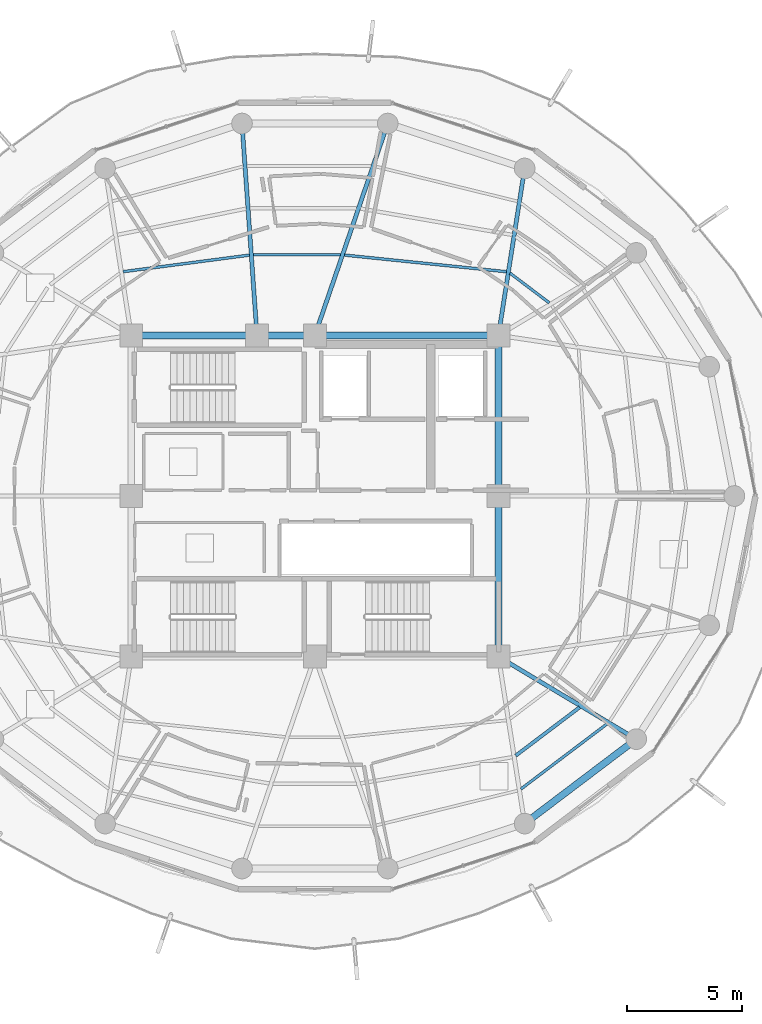
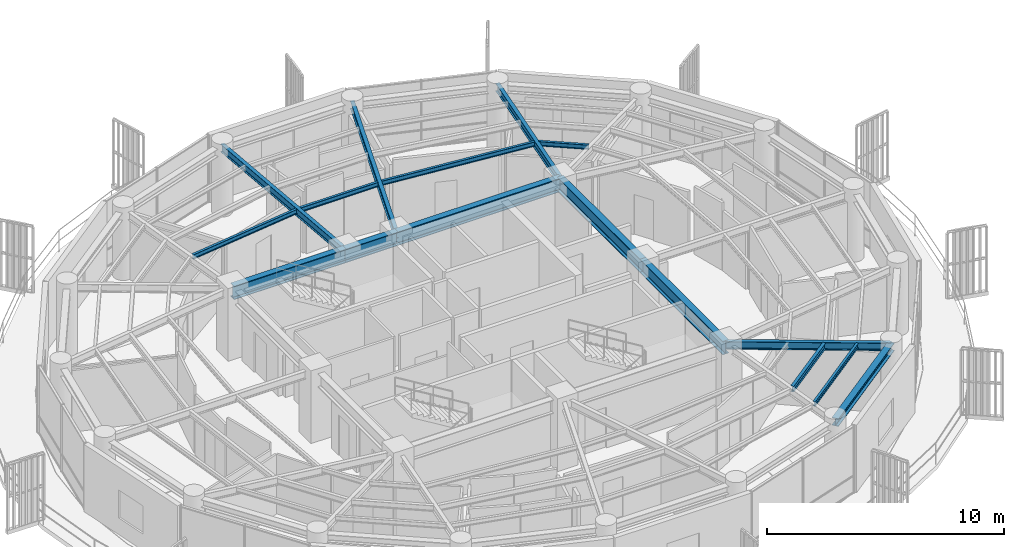
# One storey, part 9 of 24: 16 beams.
"""IFC4 building model written with IfcOpenShell, lengths in metres."""

from ifc_helpers import new_model, si_unit, direction, frame, origin, origin_2d, place, context, subcontext, project, spatial, i_section, extrude, material, material_profile, profile_set, type_object, element, save


model = new_model("IFC4")

# Units and contexts
model_context = context("Model", 3, precision=1e-05, world=origin(), true_north=direction((0.0, 1.0)))
body_context = subcontext(model_context, "Body", "Model", "MODEL_VIEW")
ifc_project = project(units=[si_unit("LENGTHUNIT", "METRE"), si_unit("AREAUNIT", "SQUARE_METRE"), si_unit("VOLUMEUNIT", "CUBIC_METRE"), si_unit("PLANEANGLEUNIT", "RADIAN"), si_unit("MASSUNIT", "GRAM", prefix="KILO")], contexts=[model_context])

# Site, building, storey
site_placement = place(None, origin())
site = spatial("IfcSite", under=ifc_project, at=site_placement, CompositionType="ELEMENT")
building_placement = place(site_placement, origin())
building = spatial("IfcBuilding", under=site, at=building_placement, Name="Kelanora Arch Commons", CompositionType="ELEMENT")
storey_placement = place(building_placement, frame((0.0, 0.0, 248.699951171875)))
storey = spatial("IfcBuildingStorey", under=building, at=storey_placement, Name="L63", CompositionType="ELEMENT", Elevation=248.699951171875)

# Beams
ifc_material = material(Name="Steel S355", Category="steel")
ifc_material_profile_1 = material_profile(ifc_material, i_section(OverallWidth=0.300048828125, OverallDepth=0.699951171875, WebThickness=0.01708984375, FlangeThickness=0.031982421875, FilletRadius=0.027099609375, at=origin_2d()), Name="HEB700")
ifc_profile_set_1 = profile_set([ifc_material_profile_1], Name="Steel S355")
beam_type_1 = type_object("IfcBeamType", Name="BM-CORE-HDR", PredefinedType="BEAM", material=ifc_profile_set_1)
for number, where, z_axis, x_axis, name in (
    (1, (82.0, 51.0, 3.14013671875), (0.0, 1.0, 0.0), (-1.0, 0.0, 0.0), "Core Header Beam 03 L63"),
    (2, (82.0, 58.0, 3.14013671875), (0.0, 1.0, 0.0), (-1.0, 0.0, 0.0), "Core Header Beam 04 L63"),
):
    element("IfcBeam", number, at=place(storey_placement, frame(where, z_axis=z_axis, x_axis=x_axis)), inside=storey, type_object=beam_type_1, Name=name, PredefinedType="BEAM", context=body_context, shape_type="SweptSolid", body=[
        extrude(i_section(OverallWidth=0.300048828125, OverallDepth=0.699951171875, WebThickness=0.01708984375, FlangeThickness=0.031982421875, FilletRadius=0.027099609375, at=origin_2d()), origin(), (0.0, 0.0, 1.0), 7.0),
    ])
beam_1_placement = place(storey_placement, frame((82.0, 65.0, 3.14013671875), z_axis=(-1.0, 0.0, 0.0), x_axis=(0.0, -1.0, 0.0)))
element("IfcBeam", 3, at=beam_1_placement, inside=storey, type_object=beam_type_1, Name="Core Header Beam 05 L63", PredefinedType="BEAM", context=body_context, shape_type="SweptSolid", body=[
    extrude(i_section(OverallWidth=0.300048828125, OverallDepth=0.699951171875, WebThickness=0.01708984375, FlangeThickness=0.031982421875, FilletRadius=0.027099609375, at=origin_2d()), origin(), (0.0, 0.0, 1.0), 8.0),
])
beam_2_placement = place(storey_placement, frame((74.0, 65.0, 3.14013671875), z_axis=(-1.0, 0.0, 0.0), x_axis=(0.0, -1.0, 0.0)))
element("IfcBeam", 4, at=beam_2_placement, inside=storey, type_object=beam_type_1, Name="Core Header Beam 06 L63", PredefinedType="BEAM", context=body_context, shape_type="SweptSolid", body=[
    extrude(i_section(OverallWidth=0.300048828125, OverallDepth=0.699951171875, WebThickness=0.01708984375, FlangeThickness=0.031982421875, FilletRadius=0.027099609375, at=origin_2d()), origin(), (0.0, 0.0, 1.0), 2.52001953125),
])
beam_3_placement = place(storey_placement, frame((71.47998046875, 65.0, 3.14013671875), z_axis=(-1.0, 0.0, 0.0), x_axis=(0.0, -1.0, 0.0)))
element("IfcBeam", 5, at=beam_3_placement, inside=storey, type_object=beam_type_1, Name="Core Header Beam 07 L63", PredefinedType="BEAM", context=body_context, shape_type="SweptSolid", body=[
    extrude(i_section(OverallWidth=0.300048828125, OverallDepth=0.699951171875, WebThickness=0.01708984375, FlangeThickness=0.031982421875, FilletRadius=0.027099609375, at=origin_2d()), origin(), (0.0, 0.0, 1.0), 5.47998046875),
])
ifc_material_profile_2 = material_profile(ifc_material, i_section(OverallWidth=0.14990234375, OverallDepth=0.300048828125, WebThickness=0.007080078125, FlangeThickness=0.0107421875, FilletRadius=0.014892578125, at=origin_2d()), Name="IPE300")
ifc_profile_set_2 = profile_set([ifc_material_profile_2], Name="Steel S355")
beam_type_2 = type_object("IfcBeamType", Name="BM-JST-01", PredefinedType="JOIST", material=ifc_profile_set_2)
beam_4_placement = place(storey_placement, frame((82.751708984375, 46.68798828125, 3.340087890625), z_axis=(0.797499198801, 0.603320004568, 0.0), x_axis=(-0.603320004568, 0.797499198801, 0.0)))
element("IfcBeam", 6, at=beam_4_placement, inside=storey, type_object=beam_type_2, Name="Secondary Chord Joist BJB-30 L63", PredefinedType="JOIST", context=body_context, shape_type="SweptSolid", body=[
    extrude(i_section(OverallWidth=0.14990234375, OverallDepth=0.300048828125, WebThickness=0.007080078125, FlangeThickness=0.0107421875, FilletRadius=0.014892578125, at=origin_2d()), origin(), (0.0, 0.0, 1.0), 3.489013671875),
])
ifc_material_profile_3 = material_profile(ifc_material, i_section(OverallWidth=0.1201171875, OverallDepth=0.239990234375, WebThickness=0.006103515625, FlangeThickness=0.009765625, FilletRadius=0.014892578125, at=origin_2d()), Name="IPE240")
ifc_profile_set_3 = profile_set([ifc_material_profile_3], Name="Steel S355")
beam_type_3 = type_object("IfcBeamType", Name="BM-JST-02", PredefinedType="JOIST", material=ifc_profile_set_3)
beam_5_placement = place(storey_placement, frame((84.21337890625, 66.416748046875, 3.3701171875), z_axis=(-0.797509883882, 0.603305880222, 0.0), x_axis=(-0.603305880222, -0.797509883882, 0.0)))
element("IfcBeam", 7, at=beam_5_placement, inside=storey, type_object=beam_type_3, Name="Secondary Chord Joist BJA-04 L63", PredefinedType="JOIST", context=body_context, shape_type="SweptSolid", body=[
    extrude(i_section(OverallWidth=0.1201171875, OverallDepth=0.239990234375, WebThickness=0.006103515625, FlangeThickness=0.009765625, FilletRadius=0.014892578125, at=origin_2d()), origin(), (0.0, 0.0, 1.0), 2.147216796875),
])
beam_6_placement = place(storey_placement, frame((82.3486328125, 67.772216796875, 3.3701171875), z_axis=(-0.994746545688, 0.102368500239, 0.0), x_axis=(-0.102368500239, -0.994746545688, 0.0)))
element("IfcBeam", 8, at=beam_6_placement, inside=storey, type_object=beam_type_3, Name="Secondary Chord Joist BJA-06 L63", PredefinedType="JOIST", context=body_context, shape_type="SweptSolid", body=[
    extrude(i_section(OverallWidth=0.1201171875, OverallDepth=0.239990234375, WebThickness=0.006103515625, FlangeThickness=0.009765625, FilletRadius=0.014892578125, at=origin_2d()), origin(), (0.0, 0.0, 1.0), 7.09521484375),
])
beam_7_placement = place(storey_placement, frame((75.12109375, 68.507080078125, 3.3701171875), z_axis=(-1.0, 0.0, 0.0), x_axis=(0.0, -1.0, 0.0)))
element("IfcBeam", 9, at=beam_7_placement, inside=storey, type_object=beam_type_3, Name="Secondary Chord Joist BJA-08 L63", PredefinedType="JOIST", context=body_context, shape_type="SweptSolid", body=[
    extrude(i_section(OverallWidth=0.1201171875, OverallDepth=0.239990234375, WebThickness=0.006103515625, FlangeThickness=0.009765625, FilletRadius=0.014892578125, at=origin_2d()), origin(), (0.0, 0.0, 1.0), 3.8046875),
])
beam_8_placement = place(storey_placement, frame((71.147216796875, 68.49609375, 3.3701171875), z_axis=(-0.991489038745, -0.130190191832, 0.0), x_axis=(0.130190191832, -0.991489038745, 0.0)))
element("IfcBeam", 10, at=beam_8_placement, inside=storey, type_object=beam_type_3, Name="Secondary Chord Joist BJA-10 L63", PredefinedType="JOIST", context=body_context, shape_type="SweptSolid", body=[
    extrude(i_section(OverallWidth=0.1201171875, OverallDepth=0.239990234375, WebThickness=0.006103515625, FlangeThickness=0.009765625, FilletRadius=0.014892578125, at=origin_2d()), origin(), (0.0, 0.0, 1.0), 5.543212890625),
])
beam_9_placement = place(storey_placement, frame((82.979736328125, 45.233642578125, 3.3701171875), z_axis=(0.79752302984, 0.60328850219, 0.0), x_axis=(-0.60328850219, 0.79752302984, 0.0)))
element("IfcBeam", 11, at=beam_9_placement, inside=storey, type_object=beam_type_3, Name="Secondary Chord Joist BJC-30 L63", PredefinedType="JOIST", context=body_context, shape_type="SweptSolid", body=[
    extrude(i_section(OverallWidth=0.1201171875, OverallDepth=0.239990234375, WebThickness=0.006103515625, FlangeThickness=0.009765625, FilletRadius=0.014892578125, at=origin_2d()), origin(), (0.0, 0.0, 1.0), 4.70849609375),
])
ifc_material_profile_4 = material_profile(ifc_material, i_section(OverallWidth=0.179931640625, OverallDepth=0.39990234375, WebThickness=0.008544921875, FlangeThickness=0.013427734375, FilletRadius=0.02099609375, at=origin_2d()), Name="IPE400")
ifc_profile_set_4 = profile_set([ifc_material_profile_4], Name="Steel S355")
beam_type_4 = type_object("IfcBeamType", Name="BM-RAD-Z5", PredefinedType="BEAM", material=ifc_profile_set_4)
beam_10_placement = place(storey_placement, frame((82.0, 65.0, 3.2900390625), z_axis=(0.154855424129, 0.987937142544, 0.0), x_axis=(-0.987937142544, 0.154855424129, 0.0)))
element("IfcBeam", 12, at=beam_10_placement, inside=storey, type_object=beam_type_4, Name="Radial Floor Girder BR-06 L63", PredefinedType="BEAM", context=body_context, shape_type="SweptSolid", body=[
    extrude(i_section(OverallWidth=0.179931640625, OverallDepth=0.39990234375, WebThickness=0.008544921875, FlangeThickness=0.013427734375, FilletRadius=0.02099609375, at=origin_2d()), origin(), (0.0, 0.0, 1.0), 7.361083984375),
])
beam_11_placement = place(storey_placement, frame((74.0, 65.0, 3.2900390625), z_axis=(0.325233562807, 0.945633718532, 0.0), x_axis=(-0.945633718532, 0.325233562807, 0.0)))
element("IfcBeam", 13, at=beam_11_placement, inside=storey, type_object=beam_type_4, Name="Radial Floor Girder BR-08 L63", PredefinedType="BEAM", context=body_context, shape_type="SweptSolid", body=[
    extrude(i_section(OverallWidth=0.179931640625, OverallDepth=0.39990234375, WebThickness=0.008544921875, FlangeThickness=0.013427734375, FilletRadius=0.02099609375, at=origin_2d()), origin(), (0.0, 0.0, 1.0), 9.760009765625),
])
beam_12_placement = place(storey_placement, frame((71.47998046875, 65.0, 3.2900390625), z_axis=(-0.070714497892, 0.997496596379, 0.0), x_axis=(-0.997496596379, -0.070714497892, 0.0)))
element("IfcBeam", 14, at=beam_12_placement, inside=storey, type_object=beam_type_4, Name="Radial Floor Girder BR-10 L63", PredefinedType="BEAM", context=body_context, shape_type="SweptSolid", body=[
    extrude(i_section(OverallWidth=0.179931640625, OverallDepth=0.39990234375, WebThickness=0.008544921875, FlangeThickness=0.013427734375, FilletRadius=0.02099609375, at=origin_2d()), origin(), (0.0, 0.0, 1.0), 9.252685546875),
])
beam_13_placement = place(storey_placement, frame((82.0, 51.0, 3.2900390625), z_axis=(0.858062005744, -0.513546097541, 0.0), x_axis=(0.513546097541, 0.858062005744, 0.0)))
element("IfcBeam", 15, at=beam_13_placement, inside=storey, type_object=beam_type_4, Name="Radial Floor Girder BR-32 L63", PredefinedType="BEAM", context=body_context, shape_type="SweptSolid", body=[
    extrude(i_section(OverallWidth=0.179931640625, OverallDepth=0.39990234375, WebThickness=0.008544921875, FlangeThickness=0.013427734375, FilletRadius=0.02099609375, at=origin_2d()), origin(), (0.0, 0.0, 1.0), 6.99658203125),
])
ifc_material_profile_5 = material_profile(ifc_material, i_section(OverallWidth=0.300048828125, OverallDepth=0.39990234375, WebThickness=0.013427734375, FlangeThickness=0.02392578125, FilletRadius=0.027099609375, at=origin_2d()), Name="HEB400")
ifc_profile_set_5 = profile_set([ifc_material_profile_5], Name="Steel S355")
beam_type_5 = type_object("IfcBeamType", Name="BM-SPN-Z4", PredefinedType="SPANDREL", material=ifc_profile_set_5)
beam_14_placement = place(storey_placement, frame((83.139892578125, 43.727783203125, 3.2900390625), z_axis=(0.797509460967, 0.603306439273, 0.0), x_axis=(-0.603306439273, 0.797509460967, 0.0)))
element("IfcBeam", 16, at=beam_14_placement, inside=storey, type_object=beam_type_5, Name="Perimeter Spandrel Beam BS-30 L63", PredefinedType="SPANDREL", context=body_context, shape_type="SweptSolid", body=[
    extrude(i_section(OverallWidth=0.300048828125, OverallDepth=0.39990234375, WebThickness=0.013427734375, FlangeThickness=0.02392578125, FilletRadius=0.027099609375, at=origin_2d()), origin(), (0.0, 0.0, 1.0), 6.098388671875),
])

save(model, "model.ifc")
